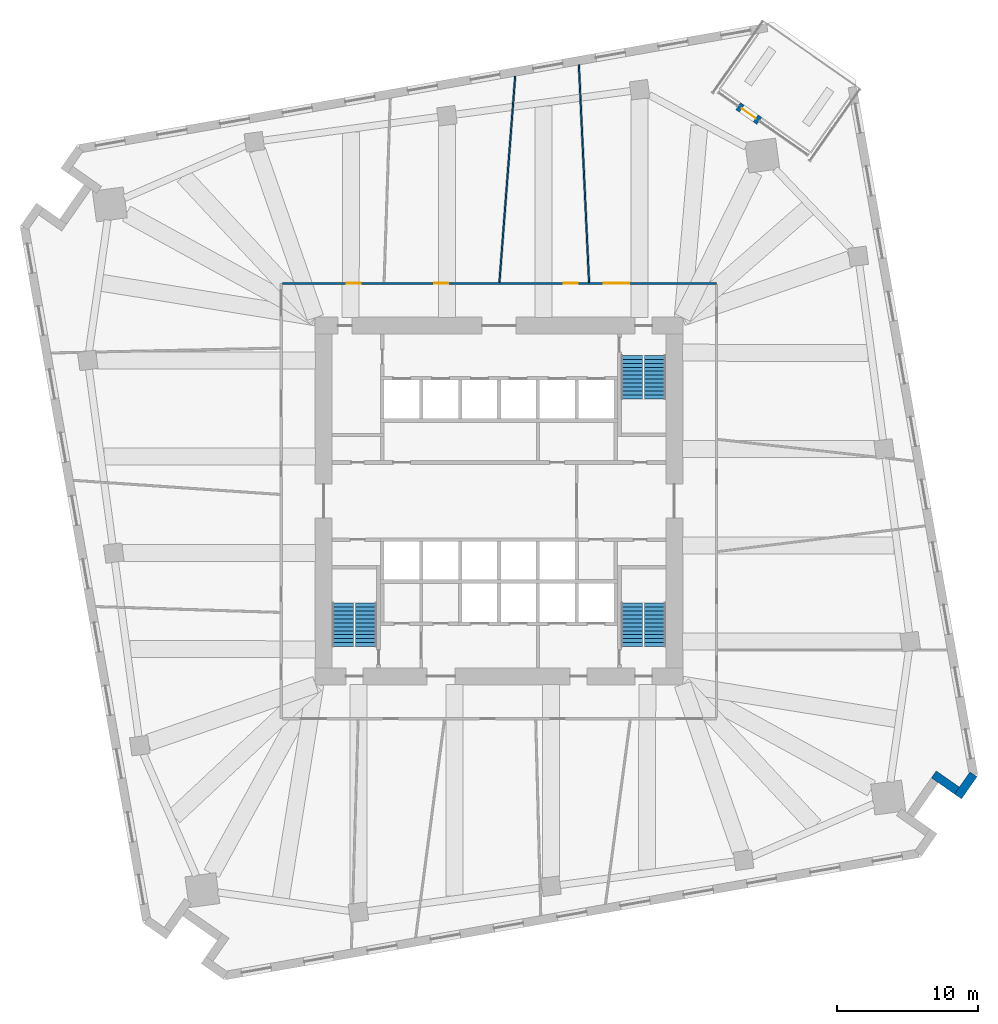
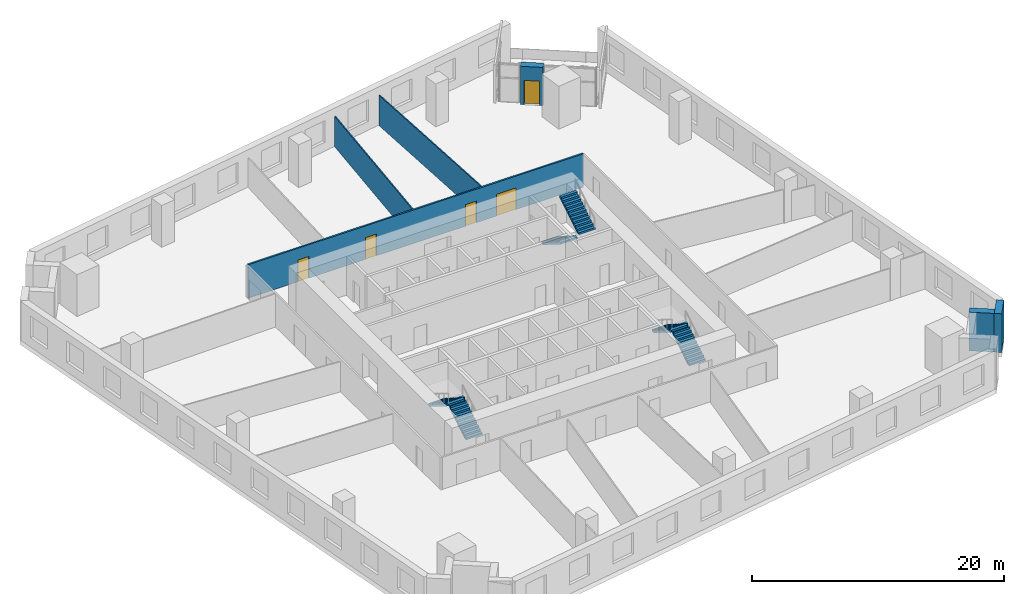
# One storey, part 8 of 10: 6 stair flights, 6 walls, 5 doors, 5 openings, 3 elements without a shape of their own.
"""IFC4 building model written with IfcOpenShell, lengths in metres."""

import ifcopenshell
import ifcopenshell.guid

model = None  # the IFC model being written
_history = None  # IfcOwnerHistory: only IFC2X3 demands one
_inside = {}  # id of a spatial element -> (the spatial element, [elements in it])
_under = {}  # id of a project, library or spatial element -> (it, [spatial elements below it])
_declared = {}  # id of a project -> (the project, [libraries it declares])
_typed = {}  # id of a type object -> (the type object, [elements of that type])
_made_of = {}  # id of a material, layer set ... -> (it, [elements and type objects made of it])


def new_model(schema):
    """Start an empty IFC model of exactly this schema.

    Asked for "IFC4X3", IfcOpenShell would pick the latest addendum, in which some entities
    have other attributes; the version numbers below select the first issue.
    IFC2X3 requires an IfcOwnerHistory on every rooted entity: one is made here for all.
    """
    global model, _history
    if schema == "IFC4X3":
        model = ifcopenshell.file(schema_version=(4, 3, 0, 0))
    else:
        model = ifcopenshell.file(schema=schema)
    _inside.clear()
    _under.clear()
    _declared.clear()
    _typed.clear()
    _made_of.clear()
    _history = None
    if model.schema == "IFC2X3":
        org = make("IfcOrganization", Name="unknown")
        user = make(
            "IfcPersonAndOrganization",
            ThePerson=make("IfcPerson", FamilyName="unknown"),
            TheOrganization=org,
        )
        app = make(
            "IfcApplication",
            ApplicationDeveloper=org,
            Version="unknown",
            ApplicationFullName="unknown",
            ApplicationIdentifier="unknown",
        )
        _history = make(
            "IfcOwnerHistory",
            OwningUser=user,
            OwningApplication=app,
            ChangeAction="ADDED",
            CreationDate=0,
        )
    return model


def make(cls, **values):
    """One entity of the class cls with the attributes given. An attribute that is None is left unset."""
    return model.create_entity(
        cls, **{name: value for name, value in values.items() if value is not None}
    )


def rooted(cls, **values):
    """An entity with a GlobalId (a new one), such as an element, a storey or a relation."""
    return make(cls, GlobalId=ifcopenshell.guid.new(), OwnerHistory=_history, **values)


def si_unit(unit_type, name, prefix=None):
    """IfcSIUnit, for example si_unit("LENGTHUNIT", "METRE", prefix="MILLI")."""
    return make("IfcSIUnit", UnitType=unit_type, Prefix=prefix, Name=name)


def assignment(units):
    """IfcUnitAssignment: the units of a project."""
    return None if units is None else make("IfcUnitAssignment", Units=units)


def point(xyz):
    """IfcCartesianPoint."""
    return None if xyz is None else make("IfcCartesianPoint", Coordinates=xyz)


def direction(xyz):
    """IfcDirection."""
    return None if xyz is None else make("IfcDirection", DirectionRatios=xyz)


def frame(location, z_axis=None, x_axis=None):
    """IfcAxis2Placement3D, a coordinate frame: its origin and axes. An axis left out is left unset."""
    return make(
        "IfcAxis2Placement3D",
        Location=point(location),
        Axis=direction(z_axis),
        RefDirection=direction(x_axis),
    )


def frame_2d(location, x_axis=None):
    """IfcAxis2Placement2D, a coordinate frame in the plane: its origin and x axis."""
    return make(
        "IfcAxis2Placement2D", Location=point(location), RefDirection=direction(x_axis)
    )


def origin():
    """The frame at (0, 0, 0) with its axes left unset."""
    return frame((0.0, 0.0, 0.0))


def place(relative_to, where):
    """IfcLocalPlacement: puts the frame where relative to a parent placement (None: the world)."""
    return make(
        "IfcLocalPlacement", PlacementRelTo=relative_to, RelativePlacement=where
    )


def context(
    kind, dimensions, precision=None, world=None, true_north=None, identifier=None
):
    """IfcGeometricRepresentationContext, for example the 3D "Model" context."""
    return make(
        "IfcGeometricRepresentationContext",
        ContextIdentifier=identifier,
        ContextType=kind,
        CoordinateSpaceDimension=dimensions,
        Precision=precision,
        WorldCoordinateSystem=world,
        TrueNorth=true_north,
    )


def subcontext(parent, identifier, kind, view, scale=None):
    """IfcGeometricRepresentationSubContext, for example "Body" below "Model"."""
    return make(
        "IfcGeometricRepresentationSubContext",
        ContextIdentifier=identifier,
        ContextType=kind,
        ParentContext=parent,
        TargetScale=scale,
        TargetView=view,
    )


def project(units=None, contexts=None):
    """IfcProject with its units and contexts."""
    return rooted(
        "IfcProject",
        Name="project",
        RepresentationContexts=contexts,
        UnitsInContext=assignment(units),
    )


def spatial(cls, under=None, at=None, **own):
    """A site, building, storey or space (cls), placed at a placement, below another one or the project."""
    s = rooted(cls, ObjectPlacement=at, **own)
    if under is not None:
        _under.setdefault(under.id(), (under, []))[1].append(s)
    return s


def polyline(points):
    """IfcPolyline through the points."""
    return make("IfcPolyline", Points=[point(p) for p in points])


def profile(cls, at=None, kind="AREA", **sizes):
    """A parametric profile (cls). Its sizes go by their IFC names, for example OverallWidth=200.0."""
    return make(cls, ProfileType=kind, Position=at, **sizes)


def rectangle(**sizes):
    """IfcRectangleProfileDef."""
    return profile("IfcRectangleProfileDef", **sizes)


def outline(outer, holes=None, kind="AREA"):
    """IfcArbitraryClosedProfileDef: a profile drawn as a closed curve; with holes, ...WithVoids."""
    if holes is None:
        return make("IfcArbitraryClosedProfileDef", ProfileType=kind, OuterCurve=outer)
    return make(
        "IfcArbitraryProfileDefWithVoids",
        ProfileType=kind,
        OuterCurve=outer,
        InnerCurves=holes,
    )


def extrude(swept, where, along, depth):
    """IfcExtrudedAreaSolid: the profile swept, set in the frame where, extruded along a direction by depth."""
    return make(
        "IfcExtrudedAreaSolid",
        SweptArea=swept,
        Position=where,
        ExtrudedDirection=direction(along),
        Depth=depth,
    )


def shape(context_of_items, identifier, shape_type, items):
    """IfcShapeRepresentation: the items that make up one representation, for example the "Body"."""
    return make(
        "IfcShapeRepresentation",
        ContextOfItems=context_of_items,
        RepresentationIdentifier=identifier,
        RepresentationType=shape_type,
        Items=items,
    )


def material(Name=None, Category=None):
    """IfcMaterial."""
    return make("IfcMaterial", Name=Name, Category=Category)


def layer(
    of_material, thickness, ventilated=None, Name=None, Category=None, Priority=None
):
    """IfcMaterialLayer: one layer of a wall or slab, of a material (None: an air gap)."""
    return make(
        "IfcMaterialLayer",
        Material=of_material,
        LayerThickness=thickness,
        IsVentilated=ventilated,
        Name=Name,
        Category=Category,
        Priority=Priority,
    )


def layer_set(layers, Name=None):
    """IfcMaterialLayerSet."""
    return make("IfcMaterialLayerSet", MaterialLayers=layers, LayerSetName=Name)


def made_of(thing, what):
    """Note that an element or type object is made of a material, layer set ...; save() writes the relation."""
    if what is not None:
        _made_of.setdefault(what.id(), (what, []))[1].append(thing)
    return thing


def type_object(cls, material=None, **own):
    """A type object (cls), such as IfcWallType, which elements share."""
    return made_of(rooted(cls, **own), material)


def element(
    cls,
    number,
    at=None,
    inside=None,
    cuts=None,
    type_object=None,
    material=None,
    context=None,
    identifier="Body",
    shape_type=None,
    held_by="IfcProductDefinitionShape",
    body=None,
    shapes=None,
    **own,
):
    """One element of the class cls, such as IfcWall. Its Tag is "e" and its number.

    at: its placement. inside: the storey or other place that contains it. cuts: it is an
    opening in that element (IfcRelVoidsElement). A single representation is given by context,
    identifier, shape_type and body (its items); several are given by shapes. held_by: the class
    of the entity that holds the representations. save() writes the other relations.
    """
    e = rooted(cls, Tag="e%d" % number, ObjectPlacement=at, **own)
    if body is not None:
        shapes = [shape(context, identifier, shape_type, body)]
    if shapes is not None:
        e.Representation = make(held_by, Representations=shapes)
    if inside is not None:
        _inside.setdefault(inside.id(), (inside, []))[1].append(e)
    if cuts is not None:
        rooted(
            "IfcRelVoidsElement", RelatingBuildingElement=cuts, RelatedOpeningElement=e
        )
    if type_object is not None:
        _typed.setdefault(type_object.id(), (type_object, []))[1].append(e)
    return made_of(e, material)


def fill(opening, filler):
    """IfcRelFillsElement: the door or window that sits in an opening."""
    return rooted(
        "IfcRelFillsElement",
        RelatingOpeningElement=opening,
        RelatedBuildingElement=filler,
    )


def aggregate(whole, parts):
    """IfcRelAggregates: a whole, such as a stair, and the parts it consists of."""
    return rooted("IfcRelAggregates", RelatingObject=whole, RelatedObjects=parts)


def save(model, path):
    """Write the relations noted so far, then the file.

    IfcRelAggregates (storeys below a building ...), IfcRelContainedInSpatialStructure (elements
    in a storey), IfcRelDefinesByType, IfcRelAssociatesMaterial and IfcRelDeclares: one each for
    every whole, place, type object, material and project.
    """
    for whole, parts in _under.values():
        aggregate(whole, parts)
    for where, things in _inside.values():
        rooted(
            "IfcRelContainedInSpatialStructure",
            RelatedElements=things,
            RelatingStructure=where,
        )
    for kind, things in _typed.values():
        rooted("IfcRelDefinesByType", RelatedObjects=things, RelatingType=kind)
    for what, things in _made_of.values():
        rooted("IfcRelAssociatesMaterial", RelatedObjects=things, RelatingMaterial=what)
    for by, libraries in _declared.values():
        rooted("IfcRelDeclares", RelatingContext=by, RelatedDefinitions=libraries)
    model.write(path)


model = new_model("IFC4")

# Units and contexts
model_context = context("Model", 3, precision=1e-05, world=origin(), true_north=direction((0.0, 1.0)))
body_context = subcontext(model_context, "Body", "Model", "MODEL_VIEW")
ifc_project = project(units=[si_unit("LENGTHUNIT", "METRE"), si_unit("AREAUNIT", "SQUARE_METRE"), si_unit("VOLUMEUNIT", "CUBIC_METRE"), si_unit("PLANEANGLEUNIT", "RADIAN"), si_unit("MASSUNIT", "GRAM", prefix="KILO")], contexts=[model_context])

# Site, building, storey
site_placement = place(None, origin())
site = spatial("IfcSite", under=ifc_project, at=site_placement, CompositionType="ELEMENT")
building_placement = place(site_placement, origin())
building = spatial("IfcBuilding", under=site, at=building_placement, Name="Dilmun Exchange Tower", CompositionType="ELEMENT")
storey_placement = place(building_placement, frame((0.0, 0.0, 59.699951171875)))
storey = spatial("IfcBuildingStorey", under=building, at=storey_placement, Name="L13", CompositionType="ELEMENT", Elevation=59.699951171875)

# Wall, openings, doors
ifc_material_1 = material(Name="Corridor wall 150")
ifc_layer_1 = layer(ifc_material_1, 0.14990234375)
ifc_layer_set_1 = layer_set([ifc_layer_1], Name="Corridor wall 150")
wall_type_1 = type_object("IfcWallType", Name="Corridor wall 150", PredefinedType="PARTITIONING", material=ifc_layer_set_1)
wall_1_placement = place(storey_placement, frame((-15.324951171875, 15.39990234375, 0.0), z_axis=(0.0, 0.0, 1.0), x_axis=(1.0, 0.0, 0.0)))
wall_1 = element("IfcWall", 1, at=wall_1_placement, inside=storey, type_object=wall_type_1, Name="Corridor wall", PredefinedType="PARTITIONING", context=body_context, shape_type="SweptSolid", body=[
    extrude(rectangle(XDim=30.724853515625, YDim=0.14990234375, at=frame_2d((15.3623046875, 0.0))), origin(), (0.0, 0.0, 1.0), 3.25),
])
opening_1_placement = place(wall_1_placement, frame((4.550048828125, 0.0, 0.0)))
opening_1 = element("IfcOpeningElement", 2, at=opening_1_placement, cuts=wall_1, Name="Opening TF13-D05", PredefinedType="OPENING", context=body_context, shape_type="SweptSolid", body=[
    extrude(rectangle(XDim=1.0, YDim=2.10009765625, at=frame_2d((0.5, 1.050048828125))), frame((0.0, 0.0849609375, 0.0), z_axis=(0.0, -1.0, 0.0), x_axis=(1.0, 0.0, 0.0)), (0.0, 0.0, 1.0), 0.169921875),
])
opening_2_placement = place(wall_1_placement, frame((10.743896484375, 0.0, 0.0)))
opening_2 = element("IfcOpeningElement", 3, at=opening_2_placement, cuts=wall_1, Name="Opening TF13-D09", PredefinedType="OPENING", context=body_context, shape_type="SweptSolid", body=[
    extrude(rectangle(XDim=1.0, YDim=2.10009765625, at=frame_2d((0.5, 1.050048828125))), frame((0.0, 0.0849609375, 0.0), z_axis=(0.0, -1.0, 0.0), x_axis=(1.0, 0.0, 0.0)), (0.0, 0.0, 1.0), 0.169921875),
])
opening_3_placement = place(wall_1_placement, frame((19.89990234375, 0.0, 0.0)))
opening_3 = element("IfcOpeningElement", 4, at=opening_3_placement, cuts=wall_1, Name="Opening TF13-D11", PredefinedType="OPENING", context=body_context, shape_type="SweptSolid", body=[
    extrude(rectangle(XDim=1.0, YDim=2.10009765625, at=frame_2d((0.5, 1.050048828125))), frame((0.0, 0.0849609375, 0.0), z_axis=(0.0, -1.0, 0.0), x_axis=(1.0, 0.0, 0.0)), (0.0, 0.0, 1.0), 0.169921875),
])
opening_4_placement = place(wall_1_placement, frame((22.7470703125, 0.0, 0.0)))
opening_4 = element("IfcOpeningElement", 5, at=opening_4_placement, cuts=wall_1, Name="Opening TF13-D13", PredefinedType="OPENING", context=body_context, shape_type="SweptSolid", body=[
    extrude(rectangle(XDim=1.800048828125, YDim=2.10009765625, at=frame_2d((0.89990234375, 1.050048828125))), frame((0.0, 0.0849609375, 0.0), z_axis=(0.0, -1.0, 0.0), x_axis=(1.0, 0.0, 0.0)), (0.0, 0.0, 1.0), 0.169921875),
])
ifc_material_2 = material(Name="Fire door 1000 x 2100")
door_type_1 = type_object("IfcDoorType", Name="Fire door 1000 x 2100", OperationType="NOTDEFINED", PredefinedType="DOOR", material=ifc_material_2)
door_1_placement = place(opening_1_placement, origin())
door_1 = element("IfcDoor", 6, at=door_1_placement, inside=storey, type_object=door_type_1, Name="Door TF13-D05", OperationType="SINGLE_SWING_LEFT", OverallHeight=2.10009765625, OverallWidth=1.0, PredefinedType="DOOR", context=body_context, shape_type="SweptSolid", body=[
    extrude(rectangle(XDim=1.0, YDim=2.10009765625, at=frame_2d((0.5, 1.050048828125))), frame((0.0, 0.02490234375, 0.0), z_axis=(0.0, -1.0, 0.0), x_axis=(1.0, 0.0, 0.0)), (0.0, 0.0, 1.0), 0.050048828125),
])
fill(opening_1, door_1)
door_2_placement = place(opening_2_placement, origin())
door_2 = element("IfcDoor", 7, at=door_2_placement, inside=storey, type_object=door_type_1, Name="Door TF13-D09", OperationType="SINGLE_SWING_RIGHT", OverallHeight=2.10009765625, OverallWidth=1.0, PredefinedType="DOOR", context=body_context, shape_type="SweptSolid", body=[
    extrude(rectangle(XDim=1.0, YDim=2.10009765625, at=frame_2d((0.5, 1.050048828125))), frame((0.0, 0.02490234375, 0.0), z_axis=(0.0, -1.0, 0.0), x_axis=(1.0, 0.0, 0.0)), (0.0, 0.0, 1.0), 0.050048828125),
])
fill(opening_2, door_2)
door_3_placement = place(opening_3_placement, origin())
door_3 = element("IfcDoor", 8, at=door_3_placement, inside=storey, type_object=door_type_1, Name="Door TF13-D11", OperationType="SINGLE_SWING_LEFT", OverallHeight=2.10009765625, OverallWidth=1.0, PredefinedType="DOOR", context=body_context, shape_type="SweptSolid", body=[
    extrude(rectangle(XDim=1.0, YDim=2.10009765625, at=frame_2d((0.5, 1.050048828125))), frame((0.0, 0.02490234375, 0.0), z_axis=(0.0, -1.0, 0.0), x_axis=(1.0, 0.0, 0.0)), (0.0, 0.0, 1.0), 0.050048828125),
])
fill(opening_3, door_3)
ifc_material_3 = material(Name="Fire door pair 1800 x 2100")
door_type_2 = type_object("IfcDoorType", Name="Fire door pair 1800 x 2100", OperationType="NOTDEFINED", PredefinedType="DOOR", material=ifc_material_3)
door_4_placement = place(opening_4_placement, origin())
door_4 = element("IfcDoor", 9, at=door_4_placement, inside=storey, type_object=door_type_2, Name="Door TF13-D13", OperationType="DOUBLE_DOOR_SINGLE_SWING", OverallHeight=2.10009765625, OverallWidth=1.800048828125, PredefinedType="DOOR", context=body_context, shape_type="SweptSolid", body=[
    extrude(rectangle(XDim=1.800048828125, YDim=2.10009765625, at=frame_2d((0.89990234375, 1.050048828125))), frame((0.0, 0.02490234375, 0.0), z_axis=(0.0, -1.0, 0.0), x_axis=(1.0, 0.0, 0.0)), (0.0, 0.0, 1.0), 0.050048828125),
])
fill(opening_4, door_4)

# Walls
ifc_material_4 = material(Name="Partition 100")
ifc_layer_2 = layer(ifc_material_4, 0.10009765625)
ifc_layer_set_2 = layer_set([ifc_layer_2], Name="Partition 100")
wall_type_2 = type_object("IfcWallType", Name="Partition 100", PredefinedType="PARTITIONING", material=ifc_layer_set_2)
wall_2_placement = place(storey_placement, frame((0.031005859375, 15.478759765625, 0.0), z_axis=(0.0, 0.0, 1.0), x_axis=(0.076195813728, 0.997092873292, 0.0)))
element("IfcWall", 10, at=wall_2_placement, inside=storey, type_object=wall_type_2, Name="Partition", PredefinedType="PARTITIONING", context=body_context, shape_type="SweptSolid", body=[
    extrude(rectangle(XDim=14.6171875, YDim=0.10009765625, at=frame_2d((7.30859375, 0.0))), origin(), (0.0, 0.0, 1.0), 2.949951171875),
])
wall_3_placement = place(storey_placement, frame((5.6513671875, 30.847900390625, 0.0), z_axis=(0.0, 0.0, 1.0), x_axis=(0.046726123589, -0.998907738169, 0.0)))
element("IfcWall", 11, at=wall_3_placement, inside=storey, type_object=wall_type_2, Name="Partition", PredefinedType="PARTITIONING", context=body_context, shape_type="SweptSolid", body=[
    extrude(rectangle(XDim=15.387451171875, YDim=0.10009765625, at=frame_2d((7.69384765625, 0.0))), origin(), (0.0, 0.0, 1.0), 2.949951171875),
])
ifc_material_5 = material(Name="Precast concrete C50/60", Category="concrete")
ifc_layer_3 = layer(ifc_material_5, 0.60009765625)
ifc_layer_set_3 = layer_set([ifc_layer_3], Name="Precast concrete C50/60")
wall_type_3 = type_object("IfcWallType", Name="Precast stone-clad wall 600", PredefinedType="STANDARD", material=ifc_layer_set_3)
wall_4_placement = place(storey_placement, frame((30.76025390625, -19.341064453125, 0.0), z_axis=(0.0, 0.0, 1.0), x_axis=(0.819117203636, -0.573626190743, 0.0)))
element("IfcWall", 12, at=wall_4_placement, inside=storey, type_object=wall_type_3, Name="Facade wall L13-19", PredefinedType="STANDARD", context=body_context, shape_type="SweptSolid", body=[
    extrude(rectangle(XDim=2.0, YDim=0.60009765625, at=frame_2d((1.0, 0.0))), origin(), (0.0, 0.0, 1.0), 3.75),
])
wall_5_placement = place(storey_placement, frame((32.47216796875, -20.906005859375, 0.0), z_axis=(0.0, 0.0, 1.0), x_axis=(0.573599518014, 0.81913588185, 0.0)))
element("IfcWall", 13, at=wall_5_placement, inside=storey, type_object=wall_type_3, Name="Facade wall L13-20", PredefinedType="STANDARD", context=body_context, shape_type="SweptSolid", body=[
    extrude(rectangle(XDim=1.9111328125, YDim=0.60009765625, at=frame_2d((0.95556640625, 0.0))), origin(), (0.0, 0.0, 1.0), 3.75),
])

# Wall, opening, door
wall_6_placement = place(storey_placement, frame((18.40673828125, 26.897705078125, 0.0), z_axis=(0.0, 0.0, 1.0), x_axis=(-0.819168199548, 0.573553363558, 0.0)))
wall_6 = element("IfcWall", 14, at=wall_6_placement, inside=storey, type_object=wall_type_3, Name="Facade wall L13-01-D", PredefinedType="STANDARD", context=body_context, shape_type="SweptSolid", body=[
    extrude(rectangle(XDim=1.800048828125, YDim=0.60009765625, at=frame_2d((0.89990234375, 0.0))), origin(), (0.0, 0.0, 1.0), 3.75),
])
opening_5_placement = place(wall_6_placement, frame((0.300048828125, 0.0, 0.0)))
opening_5 = element("IfcOpeningElement", 15, at=opening_5_placement, cuts=wall_6, Name="Opening GD-1", PredefinedType="OPENING", context=body_context, shape_type="SweptSolid", body=[
    extrude(rectangle(XDim=1.199951171875, YDim=2.39990234375, at=frame_2d((0.60009765625, 1.199951171875))), frame((0.0, 0.31005859375, 0.0), z_axis=(0.0, -1.0, 0.0), x_axis=(1.0, 0.0, 0.0)), (0.0, 0.0, 1.0), 0.6201171875),
])
ifc_material_6 = material(Name="Clear low-emissivity glass in aluminium frame", Category="aluminium")
door_type_3 = type_object("IfcDoorType", Name="Glazed garden door 1200 x 2400", OperationType="SINGLE_SWING_LEFT", PredefinedType="DOOR", material=ifc_material_6)
door_5_placement = place(opening_5_placement, origin())
door_5 = element("IfcDoor", 16, at=door_5_placement, inside=storey, type_object=door_type_3, Name="Garden terrace door", OperationType="SINGLE_SWING_LEFT", OverallHeight=2.39990234375, OverallWidth=1.199951171875, PredefinedType="DOOR", context=body_context, shape_type="SweptSolid", body=[
    extrude(rectangle(XDim=1.199951171875, YDim=2.39990234375, at=frame_2d((0.60009765625, 1.199951171875))), frame((0.0, 0.02490234375, 0.0), z_axis=(0.0, -1.0, 0.0), x_axis=(1.0, 0.0, 0.0)), (0.0, 0.0, 1.0), 0.050048828125),
])
fill(opening_5, door_5)

# Stair, stair flights
ifc_material_7 = material(Name="Concrete C40/50", Category="concrete")
stair_type = type_object("IfcStairType", Name="Exit stair 1500 half-turn", PredefinedType="HALF_TURN_STAIR", material=ifc_material_7)
stair_1_placement = place(storey_placement, origin())
stair_1 = element("IfcStair", 17, at=stair_1_placement, inside=storey, type_object=stair_type, Name="L13 Protected exit stair ST1", PredefinedType="HALF_TURN_STAIR")
stair_flight_type = type_object("IfcStairFlightType", Name="Exit stair flight 1500", PredefinedType="STRAIGHT", material=ifc_material_7)
stair_flight_1_placement = place(storey_placement, frame((9.39990234375, 10.300048828125, 0.0), z_axis=(0.0, 0.0, 1.0), x_axis=(0.0, -1.0, 0.0)))
stair_flight_1 = element("IfcStairFlight", 18, at=stair_flight_1_placement, type_object=stair_flight_type, Name="ST1 flight 1", NumberOfRisers=12, NumberOfTreads=11, PredefinedType="STRAIGHT", RiserHeight=0.175, TreadLength=0.28, context=body_context, shape_type="SweptSolid", body=[
    extrude(outline(polyline([(0.0, 0.0), (0.0, 0.175048828125), (0.280029296875, 0.175048828125), (0.280029296875, 0.35009765625), (0.56005859375, 0.35009765625), (0.56005859375, 0.52490234375), (0.840087890625, 0.52490234375), (0.840087890625, 0.699951171875), (1.1201171875, 0.699951171875), (1.1201171875, 0.875), (1.39990234375, 0.875), (1.39990234375, 1.050048828125), (1.679931640625, 1.050048828125), (1.679931640625, 1.22509765625), (1.9599609375, 1.22509765625), (1.9599609375, 1.39990234375), (2.239990234375, 1.39990234375), (2.239990234375, 1.574951171875), (2.52001953125, 1.574951171875), (2.52001953125, 1.75), (2.800048828125, 1.75), (2.800048828125, 1.925048828125), (3.080078125, 1.925048828125), (3.080078125, 2.10009765625), (3.080078125, 1.748291015625), (0.28271484375, 0.0), (0.0, 0.0)])), frame((0.0, 0.75, 0.0), z_axis=(0.0, -1.0, 0.0), x_axis=(1.0, 0.0, 0.0)), (0.0, 0.0, 1.0), 1.5),
])
stair_flight_2_placement = place(storey_placement, frame((11.050048828125, 7.219970703125, 2.10009765625), z_axis=(0.0, 0.0, 1.0), x_axis=(0.0, 1.0, 0.0)))
stair_flight_2 = element("IfcStairFlight", 19, at=stair_flight_2_placement, type_object=stair_flight_type, Name="ST1 flight 2", NumberOfRisers=12, NumberOfTreads=11, PredefinedType="STRAIGHT", RiserHeight=0.175, TreadLength=0.28, context=body_context, shape_type="SweptSolid", body=[
    extrude(outline(polyline([(0.0, 0.0), (0.0, 0.175048828125), (0.280029296875, 0.175048828125), (0.280029296875, 0.35009765625), (0.56005859375, 0.35009765625), (0.56005859375, 0.52490234375), (0.840087890625, 0.52490234375), (0.840087890625, 0.699951171875), (1.1201171875, 0.699951171875), (1.1201171875, 0.875), (1.39990234375, 0.875), (1.39990234375, 1.050048828125), (1.679931640625, 1.050048828125), (1.679931640625, 1.22509765625), (1.9599609375, 1.22509765625), (1.9599609375, 1.39990234375), (2.239990234375, 1.39990234375), (2.239990234375, 1.574951171875), (2.52001953125, 1.574951171875), (2.52001953125, 1.75), (2.800048828125, 1.75), (2.800048828125, 1.925048828125), (3.080078125, 1.925048828125), (3.080078125, 2.10009765625), (3.080078125, 1.748291015625), (0.28271484375, 0.0), (0.0, 0.0)])), frame((0.0, 0.75, 0.0), z_axis=(0.0, -1.0, 0.0), x_axis=(1.0, 0.0, 0.0)), (0.0, 0.0, 1.0), 1.5),
])
aggregate(stair_1, [stair_flight_1, stair_flight_2])

stair_2_placement = place(storey_placement, origin())
stair_2 = element("IfcStair", 20, at=stair_2_placement, inside=storey, type_object=stair_type, Name="L13 Protected exit stair ST2", PredefinedType="HALF_TURN_STAIR")
stair_flight_3_placement = place(storey_placement, frame((-9.39990234375, -10.300048828125, 0.0), z_axis=(0.0, 0.0, 1.0), x_axis=(0.0, 1.0, 0.0)))
stair_flight_3 = element("IfcStairFlight", 21, at=stair_flight_3_placement, type_object=stair_flight_type, Name="ST2 flight 1", NumberOfRisers=12, NumberOfTreads=11, PredefinedType="STRAIGHT", RiserHeight=0.175, TreadLength=0.28, context=body_context, shape_type="SweptSolid", body=[
    extrude(outline(polyline([(0.0, 0.0), (0.0, 0.175048828125), (0.280029296875, 0.175048828125), (0.280029296875, 0.35009765625), (0.56005859375, 0.35009765625), (0.56005859375, 0.52490234375), (0.840087890625, 0.52490234375), (0.840087890625, 0.699951171875), (1.1201171875, 0.699951171875), (1.1201171875, 0.875), (1.39990234375, 0.875), (1.39990234375, 1.050048828125), (1.679931640625, 1.050048828125), (1.679931640625, 1.22509765625), (1.9599609375, 1.22509765625), (1.9599609375, 1.39990234375), (2.239990234375, 1.39990234375), (2.239990234375, 1.574951171875), (2.52001953125, 1.574951171875), (2.52001953125, 1.75), (2.800048828125, 1.75), (2.800048828125, 1.925048828125), (3.080078125, 1.925048828125), (3.080078125, 2.10009765625), (3.080078125, 1.748291015625), (0.28271484375, 0.0), (0.0, 0.0)])), frame((0.0, 0.75, 0.0), z_axis=(0.0, -1.0, 0.0), x_axis=(1.0, 0.0, 0.0)), (0.0, 0.0, 1.0), 1.5),
])
stair_flight_4_placement = place(storey_placement, frame((-11.050048828125, -7.219970703125, 2.10009765625), z_axis=(0.0, 0.0, 1.0), x_axis=(0.0, -1.0, 0.0)))
stair_flight_4 = element("IfcStairFlight", 22, at=stair_flight_4_placement, type_object=stair_flight_type, Name="ST2 flight 2", NumberOfRisers=12, NumberOfTreads=11, PredefinedType="STRAIGHT", RiserHeight=0.175, TreadLength=0.28, context=body_context, shape_type="SweptSolid", body=[
    extrude(outline(polyline([(0.0, 0.0), (0.0, 0.175048828125), (0.280029296875, 0.175048828125), (0.280029296875, 0.35009765625), (0.56005859375, 0.35009765625), (0.56005859375, 0.52490234375), (0.840087890625, 0.52490234375), (0.840087890625, 0.699951171875), (1.1201171875, 0.699951171875), (1.1201171875, 0.875), (1.39990234375, 0.875), (1.39990234375, 1.050048828125), (1.679931640625, 1.050048828125), (1.679931640625, 1.22509765625), (1.9599609375, 1.22509765625), (1.9599609375, 1.39990234375), (2.239990234375, 1.39990234375), (2.239990234375, 1.574951171875), (2.52001953125, 1.574951171875), (2.52001953125, 1.75), (2.800048828125, 1.75), (2.800048828125, 1.925048828125), (3.080078125, 1.925048828125), (3.080078125, 2.10009765625), (3.080078125, 1.748291015625), (0.28271484375, 0.0), (0.0, 0.0)])), frame((0.0, 0.75, 0.0), z_axis=(0.0, -1.0, 0.0), x_axis=(1.0, 0.0, 0.0)), (0.0, 0.0, 1.0), 1.5),
])
aggregate(stair_2, [stair_flight_3, stair_flight_4])

stair_3_placement = place(storey_placement, origin())
stair_3 = element("IfcStair", 23, at=stair_3_placement, inside=storey, type_object=stair_type, Name="L13 Protected exit stair ST3", PredefinedType="HALF_TURN_STAIR")
stair_flight_5_placement = place(storey_placement, frame((11.050048828125, -10.300048828125, 0.0), z_axis=(0.0, 0.0, 1.0), x_axis=(0.0, 1.0, 0.0)))
stair_flight_5 = element("IfcStairFlight", 24, at=stair_flight_5_placement, type_object=stair_flight_type, Name="ST3 flight 1", NumberOfRisers=12, NumberOfTreads=11, PredefinedType="STRAIGHT", RiserHeight=0.175, TreadLength=0.28, context=body_context, shape_type="SweptSolid", body=[
    extrude(outline(polyline([(0.0, 0.0), (0.0, 0.175048828125), (0.280029296875, 0.175048828125), (0.280029296875, 0.35009765625), (0.56005859375, 0.35009765625), (0.56005859375, 0.52490234375), (0.840087890625, 0.52490234375), (0.840087890625, 0.699951171875), (1.1201171875, 0.699951171875), (1.1201171875, 0.875), (1.39990234375, 0.875), (1.39990234375, 1.050048828125), (1.679931640625, 1.050048828125), (1.679931640625, 1.22509765625), (1.9599609375, 1.22509765625), (1.9599609375, 1.39990234375), (2.239990234375, 1.39990234375), (2.239990234375, 1.574951171875), (2.52001953125, 1.574951171875), (2.52001953125, 1.75), (2.800048828125, 1.75), (2.800048828125, 1.925048828125), (3.080078125, 1.925048828125), (3.080078125, 2.10009765625), (3.080078125, 1.748291015625), (0.28271484375, 0.0), (0.0, 0.0)])), frame((0.0, 0.75, 0.0), z_axis=(0.0, -1.0, 0.0), x_axis=(1.0, 0.0, 0.0)), (0.0, 0.0, 1.0), 1.5),
])
stair_flight_6_placement = place(storey_placement, frame((9.39990234375, -7.219970703125, 2.10009765625), z_axis=(0.0, 0.0, 1.0), x_axis=(0.0, -1.0, 0.0)))
stair_flight_6 = element("IfcStairFlight", 25, at=stair_flight_6_placement, type_object=stair_flight_type, Name="ST3 flight 2", NumberOfRisers=12, NumberOfTreads=11, PredefinedType="STRAIGHT", RiserHeight=0.175, TreadLength=0.28, context=body_context, shape_type="SweptSolid", body=[
    extrude(outline(polyline([(0.0, 0.0), (0.0, 0.175048828125), (0.280029296875, 0.175048828125), (0.280029296875, 0.35009765625), (0.56005859375, 0.35009765625), (0.56005859375, 0.52490234375), (0.840087890625, 0.52490234375), (0.840087890625, 0.699951171875), (1.1201171875, 0.699951171875), (1.1201171875, 0.875), (1.39990234375, 0.875), (1.39990234375, 1.050048828125), (1.679931640625, 1.050048828125), (1.679931640625, 1.22509765625), (1.9599609375, 1.22509765625), (1.9599609375, 1.39990234375), (2.239990234375, 1.39990234375), (2.239990234375, 1.574951171875), (2.52001953125, 1.574951171875), (2.52001953125, 1.75), (2.800048828125, 1.75), (2.800048828125, 1.925048828125), (3.080078125, 1.925048828125), (3.080078125, 2.10009765625), (3.080078125, 1.748291015625), (0.28271484375, 0.0), (0.0, 0.0)])), frame((0.0, 0.75, 0.0), z_axis=(0.0, -1.0, 0.0), x_axis=(1.0, 0.0, 0.0)), (0.0, 0.0, 1.0), 1.5),
])
aggregate(stair_3, [stair_flight_5, stair_flight_6])

save(model, "model.ifc")
